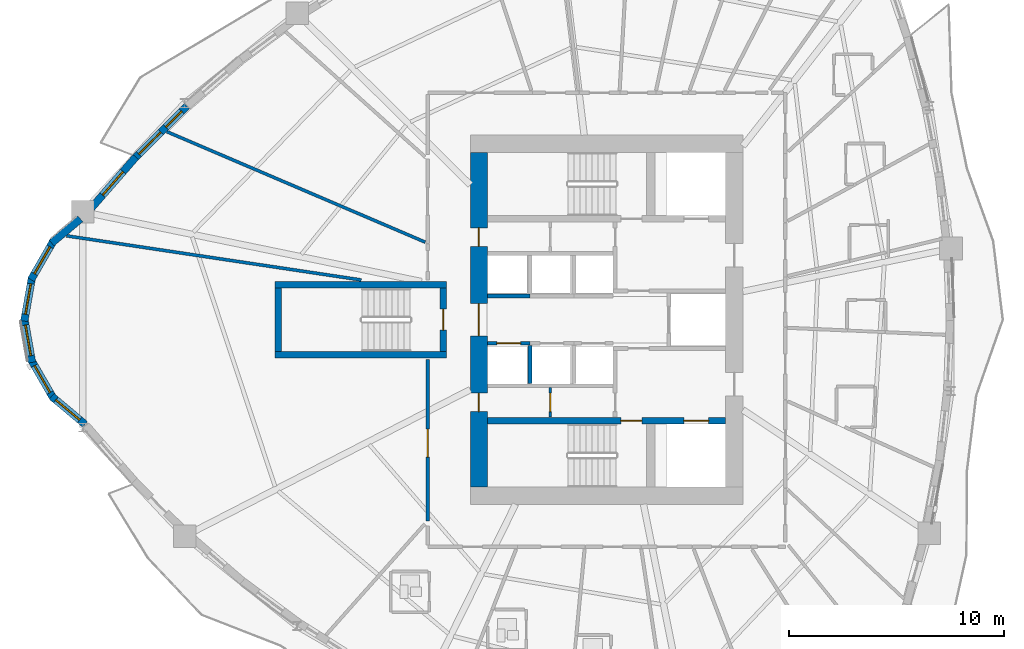
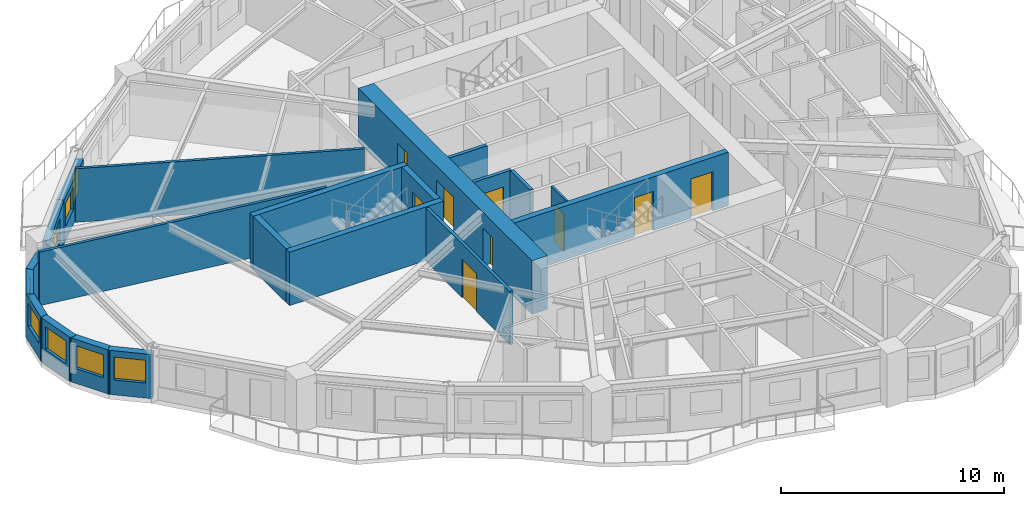
# One storey, part 4 of 14: 21 walls, 9 doors, 8 windows, 17 openings.
"""IFC4 building model written with IfcOpenShell, lengths in metres."""

from ifc_helpers import new_model, si_unit, direction, frame, frame_2d, origin, place, context, subcontext, project, spatial, rectangle, extrude, source, transform, mapped, material, layer, layer_set, type_object, element, fill, save


model = new_model("IFC4")

# Units and contexts
model_context = context("Model", 3, precision=1e-05, world=origin(), true_north=direction((0.0, 1.0)))
body_context = subcontext(model_context, "Body", "Model", "MODEL_VIEW")
ifc_project = project(units=[si_unit("LENGTHUNIT", "METRE"), si_unit("AREAUNIT", "SQUARE_METRE"), si_unit("VOLUMEUNIT", "CUBIC_METRE"), si_unit("PLANEANGLEUNIT", "RADIAN"), si_unit("MASSUNIT", "GRAM", prefix="KILO")], contexts=[model_context])

# Site, building, storey
site_placement = place(None, origin())
site = spatial("IfcSite", under=ifc_project, at=site_placement, CompositionType="ELEMENT")
building_placement = place(site_placement, origin())
building = spatial("IfcBuilding", under=site, at=building_placement, Name="Qafzar Sky-Pleat Residences", CompositionType="ELEMENT")
storey_placement = place(building_placement, frame((0.0, 0.0, 17.39990234375)))
storey = spatial("IfcBuildingStorey", under=building, at=storey_placement, Name="L04", CompositionType="ELEMENT", Elevation=17.39990234375)

# Wall, opening, door
ifc_material_1 = material(Name="Acoustic gypsum plasterboard partition", Category="gypsum")
ifc_layer_1 = layer(ifc_material_1, 0.159912109375)
ifc_layer_set_1 = layer_set([ifc_layer_1], Name="Acoustic gypsum plasterboard partition")
wall_type_1 = type_object("IfcWallType", Name="PART-COR-160", PredefinedType="PARTITIONING", material=ifc_layer_set_1)
wall_1_placement = place(storey_placement, frame((22.02001953125, 16.615966796875, 0.0), z_axis=(0.0, 0.0, 1.0), x_axis=(0.0, 1.0, 0.0)))
wall_1 = element("IfcWall", 1, at=wall_1_placement, inside=storey, type_object=wall_type_1, Name="L04 Partition Wall PART-L04-PW-001", PredefinedType="PARTITIONING", context=body_context, shape_type="SweptSolid", body=[
    extrude(rectangle(XDim=7.533935546875, YDim=0.159912109375, at=frame_2d((3.76708984375, 0.0))), origin(), (0.0, 0.0, 1.0), 2.940185546875),
])
opening_1_placement = place(wall_1_placement, frame((2.98046875, 0.0, 0.0)))
opening_1 = element("IfcOpeningElement", 2, at=opening_1_placement, cuts=wall_1, Name="Opening ID-05", PredefinedType="OPENING", context=body_context, shape_type="SweptSolid", body=[
    extrude(rectangle(XDim=1.300048828125, YDim=2.10009765625, at=frame_2d((0.64990234375, 1.050048828125))), frame((0.0, 0.08984375, 0.0), z_axis=(0.0, -1.0, 0.0), x_axis=(1.0, 0.0, 0.0)), (0.0, 0.0, 1.0), 0.179931640625),
])
ifc_material_2 = material(Name="Timber-faced fire door", Category="wood")
door_type_1 = type_object("IfcDoorType", Name="DR-LNG-1300", OperationType="DOUBLE_DOOR_SINGLE_SWING", PredefinedType="DOOR", material=ifc_material_2)
shared_shape_1 = source(origin(), body_context, "Body", "SweptSolid", [
    extrude(rectangle(XDim=1.300048828125, YDim=2.10009765625, at=frame_2d((0.64990234375, 1.050048828125))), frame((0.0, 0.02490234375, 0.0), z_axis=(0.0, -1.0, 0.0), x_axis=(1.0, 0.0, 0.0)), (0.0, 0.0, 1.0), 0.050048828125),
])
door_1_placement = place(opening_1_placement, origin())
door_1 = element("IfcDoor", 3, at=door_1_placement, inside=storey, type_object=door_type_1, Name="L04 Academic Seminar Room Door", OperationType="DOUBLE_DOOR_SINGLE_SWING", OverallHeight=2.10009765625, OverallWidth=1.300048828125, PredefinedType="DOOR", context=body_context, shape_type="MappedRepresentation", body=[
    mapped(shared_shape_1, transform((0.0, 0.0, 0.0), x_axis=(1.0, 0.0, 0.0), y_axis=(0.0, 1.0, 0.0), z_axis=(0.0, 0.0, 1.0), scale=1.0)),
])
fill(opening_1, door_1)

ifc_material_3 = material(Name="Concrete blockwork partition", Category="masonry")
ifc_layer_2 = layer(ifc_material_3, 0.179931640625)
ifc_layer_set_2 = layer_set([ifc_layer_2], Name="Concrete blockwork partition")
wall_type_2 = type_object("IfcWallType", Name="PART-SHAFT-180", PredefinedType="PARTITIONING", material=ifc_layer_set_2)
wall_2_placement = place(storey_placement, frame((24.81005859375, 24.89990234375, 0.0), z_axis=(0.0, 0.0, 1.0), x_axis=(1.0, 0.0, 0.0)))
wall_2 = element("IfcWall", 4, at=wall_2_placement, inside=storey, type_object=wall_type_2, Name="L04 Partition Wall PART-L04-P1-N", PredefinedType="PARTITIONING", context=body_context, shape_type="SweptSolid", body=[
    extrude(rectangle(XDim=1.96484375, YDim=0.179931640625, at=frame_2d((0.982421875, 0.0))), origin(), (0.0, 0.0, 1.0), 2.940185546875),
])
opening_2_placement = place(wall_2_placement, frame((0.4326171875, 0.0, 0.0)))
opening_2 = element("IfcOpeningElement", 5, at=opening_2_placement, cuts=wall_2, Name="Opening LD-01", PredefinedType="OPENING", context=body_context, shape_type="SweptSolid", body=[
    extrude(rectangle(XDim=1.10009765625, YDim=2.14990234375, at=frame_2d((0.550048828125, 1.074951171875))), frame((0.0, 0.10009765625, 0.0), z_axis=(0.0, -1.0, 0.0), x_axis=(1.0, 0.0, 0.0)), (0.0, 0.0, 1.0), 0.199951171875),
])
ifc_material_4 = material(Name="Stainless steel sliding landing door", Category="steel")
door_type_2 = type_object("IfcDoorType", Name="DR-LIFT-P", OperationType="DOUBLE_DOOR_SLIDING", PredefinedType="DOOR", material=ifc_material_4)
shared_shape_2 = source(origin(), body_context, "Body", "SweptSolid", [
    extrude(rectangle(XDim=1.10009765625, YDim=2.14990234375, at=frame_2d((0.550048828125, 1.074951171875))), frame((0.0, 0.02490234375, 0.0), z_axis=(0.0, -1.0, 0.0), x_axis=(1.0, 0.0, 0.0)), (0.0, 0.0, 1.0), 0.050048828125),
])
door_2_placement = place(opening_2_placement, origin())
door_2 = element("IfcDoor", 6, at=door_2_placement, inside=storey, type_object=door_type_2, Name="L04 Passenger Lift P1 Landing Door", OperationType="DOUBLE_DOOR_SLIDING", OverallHeight=2.14990234375, OverallWidth=1.10009765625, PredefinedType="DOOR", context=body_context, shape_type="MappedRepresentation", body=[
    mapped(shared_shape_2, transform((0.0, 0.0, 0.0), x_axis=(1.0, 0.0, 0.0), y_axis=(0.0, 1.0, 0.0), z_axis=(0.0, 0.0, 1.0), scale=1.0)),
])
fill(opening_2, door_2)

# Walls
wall_3_placement = place(storey_placement, frame((26.77490234375, 23.02001953125, 0.0), z_axis=(0.0, 0.0, 1.0), x_axis=(0.0, 1.0, 0.0)))
element("IfcWall", 7, at=wall_3_placement, inside=storey, type_object=wall_type_2, Name="L04 Partition Wall PART-L04-P13-DIV-1", PredefinedType="PARTITIONING", context=body_context, shape_type="SweptSolid", body=[
    extrude(rectangle(XDim=1.780029296875, YDim=0.179931640625, at=frame_2d((0.89013671875, 0.0))), origin(), (0.0, 0.0, 1.0), 2.940185546875),
])
wall_4_placement = place(storey_placement, frame((24.81005859375, 27.10009765625, 0.0), z_axis=(0.0, 0.0, 1.0), x_axis=(1.0, 0.0, 0.0)))
element("IfcWall", 8, at=wall_4_placement, inside=storey, type_object=wall_type_2, Name="L04 Partition Wall PART-L04-P4-S", PredefinedType="PARTITIONING", context=body_context, shape_type="SweptSolid", body=[
    extrude(rectangle(XDim=1.96484375, YDim=0.179931640625, at=frame_2d((0.982421875, 0.0))), origin(), (0.0, 0.0, 1.0), 2.940185546875),
])

# Wall, opening, door
ifc_material_5 = material(Name="Gypsum plasterboard partition", Category="gypsum")
ifc_layer_3 = layer(ifc_material_5, 0.114990234375)
ifc_layer_set_3 = layer_set([ifc_layer_3], Name="Gypsum plasterboard partition")
wall_type_3 = type_object("IfcWallType", Name="PART-SVC-115", PredefinedType="PARTITIONING", material=ifc_layer_set_3)
wall_5_placement = place(storey_placement, frame((27.72509765625, 21.4599609375, 0.0), z_axis=(0.0, 0.0, 1.0), x_axis=(0.0, 1.0, 0.0)))
wall_5 = element("IfcWall", 9, at=wall_5_placement, inside=storey, type_object=wall_type_3, Name="L04 Partition Wall PART-L04-KB-SW", PredefinedType="PARTITIONING", context=body_context, shape_type="SweptSolid", body=[
    extrude(rectangle(XDim=1.380126953125, YDim=0.114990234375, at=frame_2d((0.68994140625, 0.0))), origin(), (0.0, 0.0, 1.0), 2.940185546875),
])
opening_3_placement = place(wall_5_placement, frame((0.260009765625, 0.0, 0.0)))
opening_3 = element("IfcOpeningElement", 10, at=opening_3_placement, cuts=wall_5, Name="Opening ID-09", PredefinedType="OPENING", context=body_context, shape_type="SweptSolid", body=[
    extrude(rectangle(XDim=0.860107421875, YDim=2.050048828125, at=frame_2d((0.43017578125, 1.02490234375))), frame((0.0, 0.0673828125, 0.0), z_axis=(0.0, -1.0, 0.0), x_axis=(1.0, 0.0, 0.0)), (0.0, 0.0, 1.0), 0.135009765625),
])
door_type_3 = type_object("IfcDoorType", Name="DR-SVC-860", OperationType="NOTDEFINED", PredefinedType="DOOR", material=ifc_material_2)
shared_shape_3 = source(origin(), body_context, "Body", "SweptSolid", [
    extrude(rectangle(XDim=0.860107421875, YDim=2.050048828125, at=frame_2d((0.43017578125, 1.02490234375))), frame((0.0, 0.02490234375, 0.0), z_axis=(0.0, -1.0, 0.0), x_axis=(1.0, 0.0, 0.0)), (0.0, 0.0, 1.0), 0.050048828125),
])
door_3_placement = place(opening_3_placement, origin())
door_3 = element("IfcDoor", 11, at=door_3_placement, inside=storey, type_object=door_type_3, Name="L04 BMS Metering Cupboard Door", OperationType="SINGLE_SWING_RIGHT", OverallHeight=2.050048828125, OverallWidth=0.860107421875, PredefinedType="DOOR", context=body_context, shape_type="MappedRepresentation", body=[
    mapped(shared_shape_3, transform((0.0, 0.0, 0.0), x_axis=(1.0, 0.0, 0.0), y_axis=(0.0, 1.0, 0.0), z_axis=(0.0, 0.0, 1.0), scale=1.0)),
])
fill(opening_3, door_3)

# Walls
ifc_layer_4 = layer(ifc_material_1, 0.14501953125)
ifc_layer_set_4 = layer_set([ifc_layer_4], Name="Acoustic gypsum plasterboard partition")
wall_type_4 = type_object("IfcWallType", Name="PART-UNIT-145", PredefinedType="PARTITIONING", material=ifc_layer_set_4)
wall_6_placement = place(storey_placement, frame((5.18505859375, 29.908203125, 0.0), z_axis=(0.0, 0.0, 1.0), x_axis=(0.988958777333, -0.148190879394, 0.0)))
element("IfcWall", 12, at=wall_6_placement, inside=storey, type_object=wall_type_4, Name="L04 Partition Wall PART-L04-PW-034", PredefinedType="PARTITIONING", context=body_context, shape_type="SweptSolid", body=[
    extrude(rectangle(XDim=13.88818359375, YDim=0.14501953125, at=frame_2d((6.944091796875, 0.0))), origin(), (0.0, 0.0, 1.0), 2.940185546875),
])
wall_7_placement = place(storey_placement, frame((9.869140625, 34.7568359375, 0.0), z_axis=(0.0, 0.0, 1.0), x_axis=(0.919492001568, -0.393108711493, 0.0)))
element("IfcWall", 13, at=wall_7_placement, inside=storey, type_object=wall_type_4, Name="L04 Partition Wall PART-L04-PW-035", PredefinedType="PARTITIONING", context=body_context, shape_type="SweptSolid", body=[
    extrude(rectangle(XDim=13.088623046875, YDim=0.14501953125, at=frame_2d((6.54443359375, 0.0))), origin(), (0.0, 0.0, 1.0), 2.940185546875),
])
ifc_material_6 = material(Name="Precast concrete C40/50 with honed Riyadh limestone", Category="concrete")
ifc_layer_5 = layer(ifc_material_6, 0.35009765625)
ifc_layer_set_5 = layer_set([ifc_layer_5], Name="Precast concrete C40/50 with honed Riyadh limestone")
wall_type_5 = type_object("IfcWallType", Name="WALL-EXT-350", PredefinedType="SOLIDWALL", material=ifc_layer_set_5)
wall_8_placement = place(storey_placement, frame((5.837646484375, 30.696044921875, 0.0), z_axis=(0.0, 0.0, 1.0), x_axis=(-0.766001205563, -0.64283913468, 0.0)))
element("IfcWall", 14, at=wall_8_placement, inside=storey, type_object=wall_type_5, Name="L04 Limestone Facade Wall 1", PredefinedType="SOLIDWALL", context=body_context, shape_type="SweptSolid", body=[
    extrude(rectangle(XDim=1.75244140625, YDim=0.35009765625, at=frame_2d((0.876220703125, 0.0))), origin(), (0.0, 0.0, 1.0), 2.420166015625),
])

# Wall, opening, window
wall_9_placement = place(storey_placement, frame((4.58251953125, 29.673583984375, 0.0), z_axis=(0.0, 0.0, 1.0), x_axis=(-0.499995423472, -0.866028046028, 0.0)))
wall_9 = element("IfcWall", 15, at=wall_9_placement, inside=storey, type_object=wall_type_5, Name="L04 Limestone Facade Wall 2", PredefinedType="SOLIDWALL", context=body_context, shape_type="SweptSolid", body=[
    extrude(rectangle(XDim=2.09033203125, YDim=0.35009765625, at=frame_2d((1.045166015625, 0.0))), origin(), (0.0, 0.0, 1.0), 2.420166015625),
])
opening_4_placement = place(wall_9_placement, frame((0.3203125, 0.0, 0.820068359375)))
opening_4 = element("IfcOpeningElement", 16, at=opening_4_placement, cuts=wall_9, Name="Opening WN-15", PredefinedType="OPENING", context=body_context, shape_type="SweptSolid", body=[
    extrude(rectangle(XDim=1.449951171875, YDim=1.25, at=frame_2d((0.72509765625, 0.625))), frame((0.0, 0.18505859375, 0.0), z_axis=(0.0, -1.0, 0.0), x_axis=(1.0, 0.0, 0.0)), (0.0, 0.0, 1.0), 0.3701171875),
])
ifc_material_7 = material(Name="Solar-control low-E glass in bronze aluminium frame", Category="glass")
window_type_1 = type_object("IfcWindowType", Name="WIN-15", PartitioningType="SINGLE_PANEL", PredefinedType="WINDOW", material=ifc_material_7)
shared_shape_4 = source(origin(), body_context, "Body", "SweptSolid", [
    extrude(rectangle(XDim=1.449951171875, YDim=1.25, at=frame_2d((0.72509765625, 0.625))), frame((0.0, 0.030029296875, 0.0), z_axis=(0.0, -1.0, 0.0), x_axis=(1.0, 0.0, 0.0)), (0.0, 0.0, 1.0), 0.06005859375),
])
window_1_placement = place(opening_4_placement, origin())
window_1 = element("IfcWindow", 17, at=window_1_placement, inside=storey, type_object=window_type_1, Name="L04 Punched Facade Window 02", OverallHeight=1.25, OverallWidth=1.449951171875, PartitioningType="SINGLE_PANEL", PredefinedType="WINDOW", context=body_context, shape_type="MappedRepresentation", body=[
    mapped(shared_shape_4, transform((0.0, 0.0, 0.0), x_axis=(1.0, 0.0, 0.0), y_axis=(0.0, 1.0, 0.0), z_axis=(0.0, 0.0, 1.0), scale=1.0)),
])
fill(opening_4, window_1)

wall_10_placement = place(storey_placement, frame((3.583740234375, 27.99072265625, 0.0), z_axis=(0.0, 0.0, 1.0), x_axis=(-0.173672066494, -0.984803540469, 0.0)))
wall_10 = element("IfcWall", 18, at=wall_10_placement, inside=storey, type_object=wall_type_5, Name="L04 Limestone Facade Wall 3", PredefinedType="SOLIDWALL", context=body_context, shape_type="SweptSolid", body=[
    extrude(rectangle(XDim=2.09033203125, YDim=0.35009765625, at=frame_2d((1.045166015625, 0.0))), origin(), (0.0, 0.0, 1.0), 2.420166015625),
])
opening_5_placement = place(wall_10_placement, frame((0.3203125, 0.0, 0.820068359375)))
opening_5 = element("IfcOpeningElement", 19, at=opening_5_placement, cuts=wall_10, Name="Opening WN-15", PredefinedType="OPENING", context=body_context, shape_type="SweptSolid", body=[
    extrude(rectangle(XDim=1.449951171875, YDim=1.25, at=frame_2d((0.72509765625, 0.625))), frame((0.0, 0.18505859375, 0.0), z_axis=(0.0, -1.0, 0.0), x_axis=(1.0, 0.0, 0.0)), (0.0, 0.0, 1.0), 0.3701171875),
])
window_2_placement = place(opening_5_placement, origin())
window_2 = element("IfcWindow", 20, at=window_2_placement, inside=storey, type_object=window_type_1, Name="L04 Punched Facade Window 03", OverallHeight=1.25, OverallWidth=1.449951171875, PartitioningType="SINGLE_PANEL", PredefinedType="WINDOW", context=body_context, shape_type="MappedRepresentation", body=[
    mapped(shared_shape_4, transform((0.0, 0.0, 0.0), x_axis=(1.0, 0.0, 0.0), y_axis=(0.0, 1.0, 0.0), z_axis=(0.0, 0.0, 1.0), scale=1.0)),
])
fill(opening_5, window_2)

wall_11_placement = place(storey_placement, frame((3.220703125, 26.06787109375, 0.0), z_axis=(0.0, 0.0, 1.0), x_axis=(0.173672066494, -0.984803540469, 0.0)))
wall_11 = element("IfcWall", 21, at=wall_11_placement, inside=storey, type_object=wall_type_5, Name="L04 Limestone Facade Wall 4", PredefinedType="SOLIDWALL", context=body_context, shape_type="SweptSolid", body=[
    extrude(rectangle(XDim=2.09033203125, YDim=0.35009765625, at=frame_2d((1.045166015625, 0.0))), origin(), (0.0, 0.0, 1.0), 2.420166015625),
])
opening_6_placement = place(wall_11_placement, frame((0.3203125, 0.0, 0.820068359375)))
opening_6 = element("IfcOpeningElement", 22, at=opening_6_placement, cuts=wall_11, Name="Opening WN-15", PredefinedType="OPENING", context=body_context, shape_type="SweptSolid", body=[
    extrude(rectangle(XDim=1.449951171875, YDim=1.25, at=frame_2d((0.72509765625, 0.625))), frame((0.0, 0.18505859375, 0.0), z_axis=(0.0, -1.0, 0.0), x_axis=(1.0, 0.0, 0.0)), (0.0, 0.0, 1.0), 0.3701171875),
])
window_3_placement = place(opening_6_placement, origin())
window_3 = element("IfcWindow", 23, at=window_3_placement, inside=storey, type_object=window_type_1, Name="L04 Punched Facade Window 04", OverallHeight=1.25, OverallWidth=1.449951171875, PartitioningType="SINGLE_PANEL", PredefinedType="WINDOW", context=body_context, shape_type="MappedRepresentation", body=[
    mapped(shared_shape_4, transform((0.0, 0.0, 0.0), x_axis=(1.0, 0.0, 0.0), y_axis=(0.0, 1.0, 0.0), z_axis=(0.0, 0.0, 1.0), scale=1.0)),
])
fill(opening_6, window_3)

wall_12_placement = place(storey_placement, frame((3.537353515625, 24.13671875, 0.0), z_axis=(0.0, 0.0, 1.0), x_axis=(0.499995423472, -0.866028046028, 0.0)))
wall_12 = element("IfcWall", 24, at=wall_12_placement, inside=storey, type_object=wall_type_5, Name="L04 Limestone Facade Wall 5", PredefinedType="SOLIDWALL", context=body_context, shape_type="SweptSolid", body=[
    extrude(rectangle(XDim=2.09033203125, YDim=0.35009765625, at=frame_2d((1.045166015625, 0.0))), origin(), (0.0, 0.0, 1.0), 2.420166015625),
])
opening_7_placement = place(wall_12_placement, frame((0.3203125, 0.0, 0.820068359375)))
opening_7 = element("IfcOpeningElement", 25, at=opening_7_placement, cuts=wall_12, Name="Opening WN-15", PredefinedType="OPENING", context=body_context, shape_type="SweptSolid", body=[
    extrude(rectangle(XDim=1.449951171875, YDim=1.25, at=frame_2d((0.72509765625, 0.625))), frame((0.0, 0.18505859375, 0.0), z_axis=(0.0, -1.0, 0.0), x_axis=(1.0, 0.0, 0.0)), (0.0, 0.0, 1.0), 0.3701171875),
])
window_4_placement = place(opening_7_placement, origin())
window_4 = element("IfcWindow", 26, at=window_4_placement, inside=storey, type_object=window_type_1, Name="L04 Punched Facade Window 05", OverallHeight=1.25, OverallWidth=1.449951171875, PartitioningType="SINGLE_PANEL", PredefinedType="WINDOW", context=body_context, shape_type="MappedRepresentation", body=[
    mapped(shared_shape_4, transform((0.0, 0.0, 0.0), x_axis=(1.0, 0.0, 0.0), y_axis=(0.0, 1.0, 0.0), z_axis=(0.0, 0.0, 1.0), scale=1.0)),
])
fill(opening_7, window_4)

wall_13_placement = place(storey_placement, frame((4.495361328125, 22.430419921875, 0.0), z_axis=(0.0, 0.0, 1.0), x_axis=(0.766040796373, -0.642791955684, 0.0)))
wall_13 = element("IfcWall", 27, at=wall_13_placement, inside=storey, type_object=wall_type_5, Name="L04 Limestone Facade Wall 6", PredefinedType="SOLIDWALL", context=body_context, shape_type="SweptSolid", body=[
    extrude(rectangle(XDim=2.032470703125, YDim=0.35009765625, at=frame_2d((1.01611328125, 0.0))), origin(), (0.0, 0.0, 1.0), 2.420166015625),
])
opening_8_placement = place(wall_13_placement, frame((0.26123046875, 0.0, 0.820068359375)))
opening_8 = element("IfcOpeningElement", 28, at=opening_8_placement, cuts=wall_13, Name="Opening WN-15", PredefinedType="OPENING", context=body_context, shape_type="SweptSolid", body=[
    extrude(rectangle(XDim=1.449951171875, YDim=1.25, at=frame_2d((0.72509765625, 0.625))), frame((0.0, 0.18505859375, 0.0), z_axis=(0.0, -1.0, 0.0), x_axis=(1.0, 0.0, 0.0)), (0.0, 0.0, 1.0), 0.3701171875),
])
window_5_placement = place(opening_8_placement, origin())
window_5 = element("IfcWindow", 29, at=window_5_placement, inside=storey, type_object=window_type_1, Name="L04 Punched Facade Window 06", OverallHeight=1.25, OverallWidth=1.449951171875, PartitioningType="SINGLE_PANEL", PredefinedType="WINDOW", context=body_context, shape_type="MappedRepresentation", body=[
    mapped(shared_shape_4, transform((0.0, 0.0, 0.0), x_axis=(1.0, 0.0, 0.0), y_axis=(0.0, 1.0, 0.0), z_axis=(0.0, 0.0, 1.0), scale=1.0)),
])
fill(opening_8, window_5)

# Wall, openings, windows
wall_14_placement = place(storey_placement, frame((10.7998046875, 35.947021484375, 0.0), z_axis=(0.0, 0.0, 1.0), x_axis=(-0.708379570295, -0.705831696928, 0.0)))
wall_14 = element("IfcWall", 30, at=wall_14_placement, inside=storey, type_object=wall_type_5, Name="L04 Limestone Facade Wall 47", PredefinedType="SOLIDWALL", context=body_context, shape_type="SweptSolid", body=[
    extrude(rectangle(XDim=3.449462890625, YDim=0.35009765625, at=frame_2d((1.724609375, 0.0))), origin(), (0.0, 0.0, 1.0), 2.420166015625),
])
opening_9_placement = place(wall_14_placement, frame((0.338623046875, 0.0, 0.820068359375)))
opening_9 = element("IfcOpeningElement", 31, at=opening_9_placement, cuts=wall_14, Name="Opening WN-06", PredefinedType="OPENING", context=body_context, shape_type="SweptSolid", body=[
    extrude(rectangle(XDim=1.050048828125, YDim=1.449951171875, at=frame_2d((0.52490234375, 0.72509765625))), frame((0.0, 0.18505859375, 0.0), z_axis=(0.0, -1.0, 0.0), x_axis=(1.0, 0.0, 0.0)), (0.0, 0.0, 1.0), 0.3701171875),
])
opening_10_placement = place(wall_14_placement, frame((1.71337890625, 0.0, 0.820068359375)))
opening_10 = element("IfcOpeningElement", 32, at=opening_10_placement, cuts=wall_14, Name="Opening WN-15", PredefinedType="OPENING", context=body_context, shape_type="SweptSolid", body=[
    extrude(rectangle(XDim=1.449951171875, YDim=1.25, at=frame_2d((0.72509765625, 0.625))), frame((0.0, 0.18505859375, 0.0), z_axis=(0.0, -1.0, 0.0), x_axis=(1.0, 0.0, 0.0)), (0.0, 0.0, 1.0), 0.3701171875),
])
window_6_placement = place(opening_10_placement, origin())
window_6 = element("IfcWindow", 33, at=window_6_placement, inside=storey, type_object=window_type_1, Name="L04 Punched Facade Window 47-2", OverallHeight=1.25, OverallWidth=1.449951171875, PartitioningType="SINGLE_PANEL", PredefinedType="WINDOW", context=body_context, shape_type="MappedRepresentation", body=[
    mapped(shared_shape_4, transform((0.0, 0.0, 0.0), x_axis=(1.0, 0.0, 0.0), y_axis=(0.0, 1.0, 0.0), z_axis=(0.0, 0.0, 1.0), scale=1.0)),
])
fill(opening_10, window_6)
window_type_2 = type_object("IfcWindowType", Name="WIN-06", PartitioningType="SINGLE_PANEL", PredefinedType="WINDOW", material=ifc_material_7)
shared_shape_5 = source(origin(), body_context, "Body", "SweptSolid", [
    extrude(rectangle(XDim=1.050048828125, YDim=1.449951171875, at=frame_2d((0.52490234375, 0.72509765625))), frame((0.0, 0.030029296875, 0.0), z_axis=(0.0, -1.0, 0.0), x_axis=(1.0, 0.0, 0.0)), (0.0, 0.0, 1.0), 0.06005859375),
])
window_7_placement = place(opening_9_placement, origin())
window_7 = element("IfcWindow", 34, at=window_7_placement, inside=storey, type_object=window_type_2, Name="L04 Punched Facade Window 47", OverallHeight=1.449951171875, OverallWidth=1.050048828125, PartitioningType="SINGLE_PANEL", PredefinedType="WINDOW", context=body_context, shape_type="MappedRepresentation", body=[
    mapped(shared_shape_5, transform((0.0, 0.0, 0.0), x_axis=(1.0, 0.0, 0.0), y_axis=(0.0, 1.0, 0.0), z_axis=(0.0, 0.0, 1.0), scale=1.0)),
])
fill(opening_9, window_7)

# Wall, opening, window
wall_15_placement = place(storey_placement, frame((8.41650390625, 33.57666015625, 0.0), z_axis=(0.0, 0.0, 1.0), x_axis=(-0.657597964565, -0.75336904436, 0.0)))
wall_15 = element("IfcWall", 35, at=wall_15_placement, inside=storey, type_object=wall_type_5, Name="L04 Limestone Facade Wall 48", PredefinedType="SOLIDWALL", context=body_context, shape_type="SweptSolid", body=[
    extrude(rectangle(XDim=3.24267578125, YDim=0.35009765625, at=frame_2d((1.621337890625, 0.0))), origin(), (0.0, 0.0, 1.0), 2.420166015625),
])
opening_11_placement = place(wall_15_placement, frame((0.9013671875, 0.0, 0.820068359375)))
opening_11 = element("IfcOpeningElement", 36, at=opening_11_placement, cuts=wall_15, Name="Opening WN-15", PredefinedType="OPENING", context=body_context, shape_type="SweptSolid", body=[
    extrude(rectangle(XDim=1.449951171875, YDim=1.25, at=frame_2d((0.72509765625, 0.625))), frame((0.0, 0.18505859375, 0.0), z_axis=(0.0, -1.0, 0.0), x_axis=(1.0, 0.0, 0.0)), (0.0, 0.0, 1.0), 0.3701171875),
])
window_8_placement = place(opening_11_placement, origin())
window_8 = element("IfcWindow", 37, at=window_8_placement, inside=storey, type_object=window_type_1, Name="L04 Punched Facade Window 48", OverallHeight=1.25, OverallWidth=1.449951171875, PartitioningType="SINGLE_PANEL", PredefinedType="WINDOW", context=body_context, shape_type="MappedRepresentation", body=[
    mapped(shared_shape_4, transform((0.0, 0.0, 0.0), x_axis=(1.0, 0.0, 0.0), y_axis=(0.0, 1.0, 0.0), z_axis=(0.0, 0.0, 1.0), scale=1.0)),
])
fill(opening_11, window_8)

# Wall, openings, doors
ifc_material_8 = material(Name="Concrete C60/75", Category="concrete")
ifc_layer_6 = layer(ifc_material_8, 0.300048828125)
ifc_layer_set_6 = layer_set([ifc_layer_6], Name="Concrete C60/75")
wall_type_6 = type_object("IfcWallType", Name="WALL-SHEAR-300", PredefinedType="SHEAR", material=ifc_layer_set_6)
wall_16_placement = place(storey_placement, frame((24.800048828125, 21.300048828125, 0.0), z_axis=(0.0, 0.0, 1.0), x_axis=(1.0, 0.0, 0.0)))
wall_16 = element("IfcWall", 38, at=wall_16_placement, inside=storey, type_object=wall_type_6, Name="L04 Stair ST1 and FF1 Shaft North Wall", PredefinedType="SHEAR", context=body_context, shape_type="SweptSolid", body=[
    extrude(rectangle(XDim=11.099853515625, YDim=0.300048828125, at=frame_2d((5.5498046875, 0.0))), origin(), (0.0, 0.0, 1.0), 2.940185546875),
])
opening_12_placement = place(wall_16_placement, frame((6.219970703125, 0.0, 0.0)))
opening_12 = element("IfcOpeningElement", 39, at=opening_12_placement, cuts=wall_16, Name="Opening ID-01", PredefinedType="OPENING", context=body_context, shape_type="SweptSolid", body=[
    extrude(rectangle(XDim=0.97998046875, YDim=2.14990234375, at=frame_2d((0.489990234375, 1.074951171875))), frame((0.0, 0.16015625, 0.0), z_axis=(0.0, -1.0, 0.0), x_axis=(1.0, 0.0, 0.0)), (0.0, 0.0, 1.0), 0.320068359375),
])
opening_13_placement = place(wall_16_placement, frame((9.14990234375, 0.0, 0.0)))
opening_13 = element("IfcOpeningElement", 40, at=opening_13_placement, cuts=wall_16, Name="Opening LD-02", PredefinedType="OPENING", context=body_context, shape_type="SweptSolid", body=[
    extrude(rectangle(XDim=1.14990234375, YDim=2.14990234375, at=frame_2d((0.574951171875, 1.074951171875))), frame((0.0, 0.16015625, 0.0), z_axis=(0.0, -1.0, 0.0), x_axis=(1.0, 0.0, 0.0)), (0.0, 0.0, 1.0), 0.320068359375),
])
door_type_4 = type_object("IfcDoorType", Name="DR-STAIR-980", OperationType="NOTDEFINED", PredefinedType="DOOR", material=ifc_material_2)
shared_shape_6 = source(origin(), body_context, "Body", "SweptSolid", [
    extrude(rectangle(XDim=0.97998046875, YDim=2.14990234375, at=frame_2d((0.489990234375, 1.074951171875))), frame((0.0, 0.02490234375, 0.0), z_axis=(0.0, -1.0, 0.0), x_axis=(1.0, 0.0, 0.0)), (0.0, 0.0, 1.0), 0.050048828125),
])
door_4_placement = place(opening_12_placement, origin())
door_4 = element("IfcDoor", 41, at=door_4_placement, inside=storey, type_object=door_type_4, Name="L04 Stair ST1 Fire Door", OperationType="SINGLE_SWING_LEFT", OverallHeight=2.14990234375, OverallWidth=0.97998046875, PredefinedType="DOOR", context=body_context, shape_type="MappedRepresentation", body=[
    mapped(shared_shape_6, transform((0.0, 0.0, 0.0), x_axis=(1.0, 0.0, 0.0), y_axis=(0.0, 1.0, 0.0), z_axis=(0.0, 0.0, 1.0), scale=1.0)),
])
fill(opening_12, door_4)
door_type_5 = type_object("IfcDoorType", Name="DR-LIFT-FF", OperationType="DOUBLE_DOOR_SLIDING", PredefinedType="DOOR", material=ifc_material_4)
shared_shape_7 = source(origin(), body_context, "Body", "SweptSolid", [
    extrude(rectangle(XDim=1.14990234375, YDim=2.14990234375, at=frame_2d((0.574951171875, 1.074951171875))), frame((0.0, 0.02490234375, 0.0), z_axis=(0.0, -1.0, 0.0), x_axis=(1.0, 0.0, 0.0)), (0.0, 0.0, 1.0), 0.050048828125),
])
door_5_placement = place(opening_13_placement, origin())
door_5 = element("IfcDoor", 42, at=door_5_placement, inside=storey, type_object=door_type_5, Name="L04 Firefighting Lift FF1 Landing Door", OperationType="DOUBLE_DOOR_SLIDING", OverallHeight=2.14990234375, OverallWidth=1.14990234375, PredefinedType="DOOR", context=body_context, shape_type="MappedRepresentation", body=[
    mapped(shared_shape_7, transform((0.0, 0.0, 0.0), x_axis=(1.0, 0.0, 0.0), y_axis=(0.0, 1.0, 0.0), z_axis=(0.0, 0.0, 1.0), scale=1.0)),
])
fill(opening_13, door_5)

# Walls
for number, where, z_axis, x_axis, name in (
    (43, (14.89990234375, 24.375, 0.0), (0.0, 0.0, 1.0), (1.0, 0.0, 0.0), "L04 ST3 wall S"),
    (44, (22.89990234375, 27.625, 0.0), (0.0, 0.0, 1.0), (-1.0, 0.0, 0.0), "L04 ST3 wall N"),
):
    element("IfcWall", number, at=place(storey_placement, frame(where, z_axis=z_axis, x_axis=x_axis)), inside=storey, type_object=wall_type_6, Name=name, PredefinedType="SHEAR", context=body_context, shape_type="SweptSolid", body=[
        extrude(rectangle(XDim=8.0, YDim=0.300048828125, at=frame_2d((4.0, 0.0))), origin(), (0.0, 0.0, 1.0), 2.940185546875),
    ])
wall_17_placement = place(storey_placement, frame((15.050048828125, 27.47509765625, 0.0), z_axis=(0.0, 0.0, 1.0), x_axis=(0.0, -1.0, 0.0)))
element("IfcWall", 45, at=wall_17_placement, inside=storey, type_object=wall_type_6, Name="L04 ST3 wall W", PredefinedType="SHEAR", context=body_context, shape_type="SweptSolid", body=[
    extrude(rectangle(XDim=2.9501953125, YDim=0.300048828125, at=frame_2d((1.47509765625, 0.0))), origin(), (0.0, 0.0, 1.0), 2.940185546875),
])

# Wall, opening, door
wall_18_placement = place(storey_placement, frame((22.75, 24.52490234375, 0.0), z_axis=(0.0, 0.0, 1.0), x_axis=(0.0, 1.0, 0.0)))
wall_18 = element("IfcWall", 46, at=wall_18_placement, inside=storey, type_object=wall_type_6, Name="L04 ST3 wall E", PredefinedType="SHEAR", context=body_context, shape_type="SweptSolid", body=[
    extrude(rectangle(XDim=2.9501953125, YDim=0.300048828125, at=frame_2d((1.47509765625, 0.0))), origin(), (0.0, 0.0, 1.0), 2.940185546875),
])
opening_14_placement = place(wall_18_placement, frame((0.985107421875, 0.0, 0.0)))
opening_14 = element("IfcOpeningElement", 47, at=opening_14_placement, cuts=wall_18, Name="Opening ID-01", PredefinedType="OPENING", context=body_context, shape_type="SweptSolid", body=[
    extrude(rectangle(XDim=0.97998046875, YDim=2.14990234375, at=frame_2d((0.489990234375, 1.074951171875))), frame((0.0, 0.16015625, 0.0), z_axis=(0.0, -1.0, 0.0), x_axis=(1.0, 0.0, 0.0)), (0.0, 0.0, 1.0), 0.320068359375),
])
door_6_placement = place(opening_14_placement, origin())
door_6 = element("IfcDoor", 48, at=door_6_placement, inside=storey, type_object=door_type_4, Name="L04 Stair ST3 Fire Door", OperationType="SINGLE_SWING_LEFT", OverallHeight=2.14990234375, OverallWidth=0.97998046875, PredefinedType="DOOR", context=body_context, shape_type="MappedRepresentation", body=[
    mapped(shared_shape_6, transform((0.0, 0.0, 0.0), x_axis=(1.0, 0.0, 0.0), y_axis=(0.0, 1.0, 0.0), z_axis=(0.0, 0.0, 1.0), scale=1.0)),
])
fill(opening_14, door_6)

# Wall, openings, doors
ifc_layer_7 = layer(ifc_material_8, 0.800048828125)
ifc_layer_set_7 = layer_set([ifc_layer_7], Name="Concrete C60/75")
wall_type_7 = type_object("IfcWallType", Name="WALL-SHEAR-800", PredefinedType="SHEAR", material=ifc_layer_set_7)
wall_19_placement = place(storey_placement, frame((24.39990234375, 33.800048828125, 0.0), z_axis=(0.0, 0.0, 1.0), x_axis=(0.0, -1.0, 0.0)))
wall_19 = element("IfcWall", 49, at=wall_19_placement, inside=storey, type_object=wall_type_7, Name="L04 CORE wall W", PredefinedType="SHEAR", context=body_context, shape_type="SweptSolid", body=[
    extrude(rectangle(XDim=15.60009765625, YDim=0.800048828125, at=frame_2d((7.800048828125, 0.0))), origin(), (0.0, 0.0, 1.0), 2.940185546875),
])
opening_15_placement = place(wall_19_placement, frame((7.050048828125, 0.0, 0.0)))
opening_15 = element("IfcOpeningElement", 50, at=opening_15_placement, cuts=wall_19, Name="Opening ID-03", PredefinedType="OPENING", context=body_context, shape_type="SweptSolid", body=[
    extrude(rectangle(XDim=1.5, YDim=2.14990234375, at=frame_2d((0.75, 1.074951171875))), frame((0.0, 0.41015625, 0.0), z_axis=(0.0, -1.0, 0.0), x_axis=(1.0, 0.0, 0.0)), (0.0, 0.0, 1.0), 0.820068359375),
])
opening_16_placement = place(wall_19_placement, frame((3.52001953125, 0.0, 0.0)))
opening_16 = element("IfcOpeningElement", 51, at=opening_16_placement, cuts=wall_19, Name="Opening ID-09", PredefinedType="OPENING", context=body_context, shape_type="SweptSolid", body=[
    extrude(rectangle(XDim=0.860107421875, YDim=2.050048828125, at=frame_2d((0.43017578125, 1.02490234375))), frame((0.0, 0.41015625, 0.0), z_axis=(0.0, -1.0, 0.0), x_axis=(1.0, 0.0, 0.0)), (0.0, 0.0, 1.0), 0.820068359375),
])
opening_17_placement = place(wall_19_placement, frame((11.219970703125, 0.0, 0.0)))
opening_17 = element("IfcOpeningElement", 52, at=opening_17_placement, cuts=wall_19, Name="Opening ID-09", PredefinedType="OPENING", context=body_context, shape_type="SweptSolid", body=[
    extrude(rectangle(XDim=0.860107421875, YDim=2.050048828125, at=frame_2d((0.43017578125, 1.02490234375))), frame((0.0, 0.41015625, 0.0), z_axis=(0.0, -1.0, 0.0), x_axis=(1.0, 0.0, 0.0)), (0.0, 0.0, 1.0), 0.820068359375),
])
door_type_6 = type_object("IfcDoorType", Name="DR-COR-1500", OperationType="DOUBLE_DOOR_SINGLE_SWING", PredefinedType="DOOR", material=ifc_material_2)
shared_shape_8 = source(origin(), body_context, "Body", "SweptSolid", [
    extrude(rectangle(XDim=1.5, YDim=2.14990234375, at=frame_2d((0.75, 1.074951171875))), frame((0.0, 0.02490234375, 0.0), z_axis=(0.0, -1.0, 0.0), x_axis=(1.0, 0.0, 0.0)), (0.0, 0.0, 1.0), 0.050048828125),
])
door_7_placement = place(opening_15_placement, origin())
door_7 = element("IfcDoor", 53, at=door_7_placement, inside=storey, type_object=door_type_6, Name="L04 Lift Lobby West Double Door", OperationType="DOUBLE_DOOR_SINGLE_SWING", OverallHeight=2.14990234375, OverallWidth=1.5, PredefinedType="DOOR", context=body_context, shape_type="MappedRepresentation", body=[
    mapped(shared_shape_8, transform((0.0, 0.0, 0.0), x_axis=(1.0, 0.0, 0.0), y_axis=(0.0, 1.0, 0.0), z_axis=(0.0, 0.0, 1.0), scale=1.0)),
])
fill(opening_15, door_7)
door_8_placement = place(opening_16_placement, origin())
door_8 = element("IfcDoor", 54, at=door_8_placement, inside=storey, type_object=door_type_3, Name="L04 Core North-West Service Door", OperationType="SINGLE_SWING_RIGHT", OverallHeight=2.050048828125, OverallWidth=0.860107421875, PredefinedType="DOOR", context=body_context, shape_type="MappedRepresentation", body=[
    mapped(shared_shape_3, transform((0.0, 0.0, 0.0), x_axis=(1.0, 0.0, 0.0), y_axis=(0.0, 1.0, 0.0), z_axis=(0.0, 0.0, 1.0), scale=1.0)),
])
fill(opening_16, door_8)
door_9_placement = place(opening_17_placement, origin())
door_9 = element("IfcDoor", 55, at=door_9_placement, inside=storey, type_object=door_type_3, Name="L04 Core South-West Service Door", OperationType="SINGLE_SWING_LEFT", OverallHeight=2.050048828125, OverallWidth=0.860107421875, PredefinedType="DOOR", context=body_context, shape_type="MappedRepresentation", body=[
    mapped(shared_shape_3, transform((0.0, 0.0, 0.0), x_axis=(1.0, 0.0, 0.0), y_axis=(0.0, 1.0, 0.0), z_axis=(0.0, 0.0, 1.0), scale=1.0)),
])
fill(opening_17, door_9)

save(model, "model.ifc")
